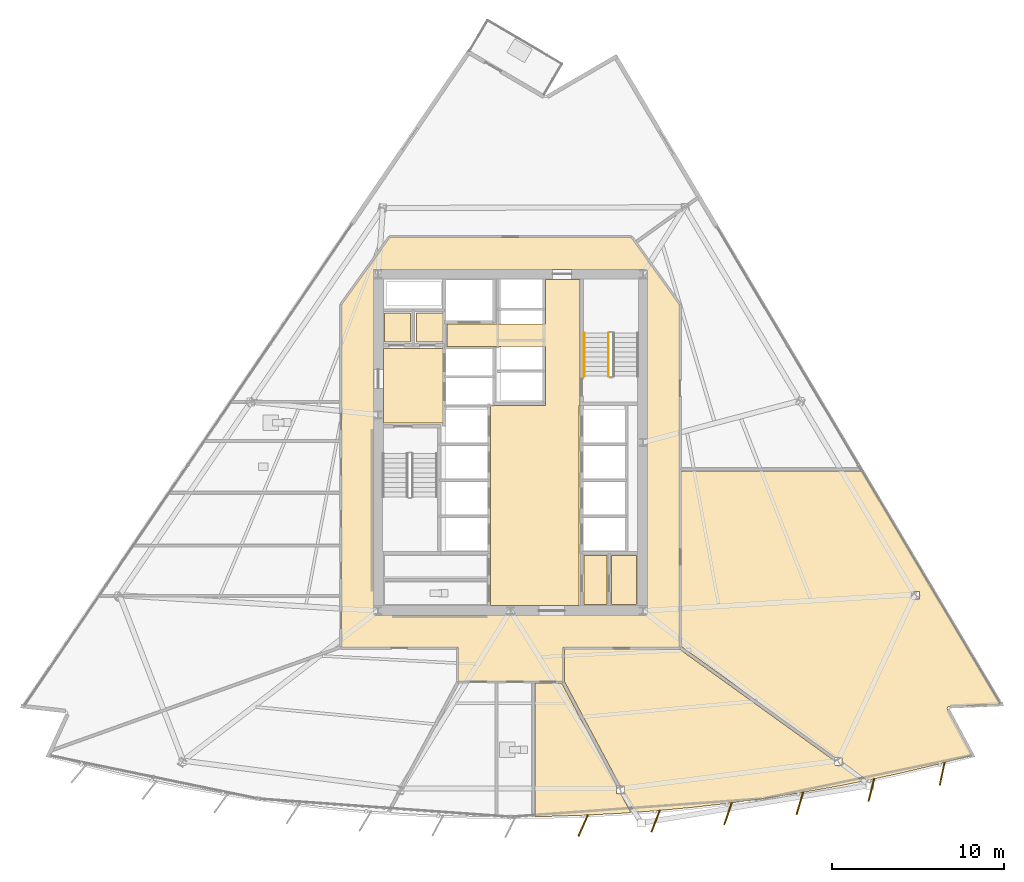
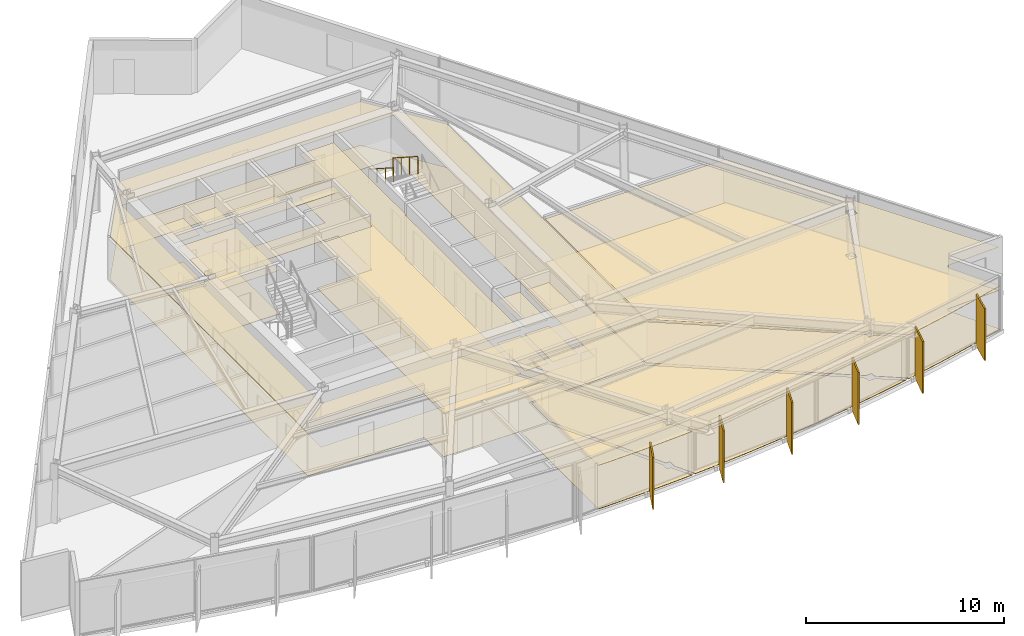
# One storey, part 12 of 15: 20 coverings, 6 shading devices, 2 railings.
"""IFC4 building model written with IfcOpenShell, lengths in metres."""

from ifc_helpers import new_model, si_unit, direction, frame, origin, origin_2d, place, context, subcontext, project, spatial, polyline, rectangle, circle, outline, extrude, material, layer, layer_set, type_object, element, save


model = new_model("IFC4")

# Units and contexts
model_context = context("Model", 3, precision=1e-05, world=origin(), true_north=direction((0.0, 1.0)))
body_context = subcontext(model_context, "Body", "Model", "MODEL_VIEW")
ifc_project = project(units=[si_unit("LENGTHUNIT", "METRE"), si_unit("AREAUNIT", "SQUARE_METRE"), si_unit("VOLUMEUNIT", "CUBIC_METRE"), si_unit("PLANEANGLEUNIT", "RADIAN"), si_unit("MASSUNIT", "GRAM", prefix="KILO")], contexts=[model_context])

# Site, building, storey
site_placement = place(None, origin())
site = spatial("IfcSite", under=ifc_project, at=site_placement, CompositionType="ELEMENT")
building_placement = place(site_placement, origin())
building = spatial("IfcBuilding", under=site, at=building_placement, Name="Savorim Split Tower", CompositionType="ELEMENT")
storey_placement = place(building_placement, frame((0.0, 0.0, 89.699951171875)))
storey = spatial("IfcBuildingStorey", under=building, at=storey_placement, Name="L23", CompositionType="ELEMENT", Elevation=89.699951171875)

# Coverings
ifc_material_1 = material(Name="Mineral Fibre Acoustic Ceiling")
ifc_layer_1 = layer(ifc_material_1, 0.02490234375)
ifc_layer_set_1 = layer_set([ifc_layer_1], Name="COV-CEIL-25")
covering_type_1 = type_object("IfcCoveringType", Name="COV-CEIL-25", PredefinedType="CEILING", material=ifc_layer_set_1)
covering_1_placement = place(storey_placement, frame((0.0, 0.0, 2.670166015625)))
element("IfcCovering", 1, at=covering_1_placement, inside=storey, type_object=covering_type_1, Name="L23 Firefighting Lift Lobby Acoustic Ceiling", PredefinedType="CEILING", context=body_context, shape_type="SweptSolid", body=[
    extrude(outline(polyline([(-7.3798828125, 5.8701171875), (-7.3798828125, 1.530029296875), (-3.929931640625, 1.530029296875), (-3.929931640625, 5.8701171875), (-7.3798828125, 5.8701171875)])), origin(), (0.0, 0.0, 1.0), 0.02490234375),
])
covering_2_placement = place(storey_placement, frame((0.0, 0.0, 2.670166015625)))
element("IfcCovering", 2, at=covering_2_placement, inside=storey, type_object=covering_type_1, Name="L23 Electrical Riser Acoustic Ceiling", PredefinedType="CEILING", context=body_context, shape_type="SweptSolid", body=[
    extrude(outline(polyline([(-7.320068359375, 7.919921875), (-7.320068359375, 6.22998046875), (-5.830078125, 6.22998046875), (-5.830078125, 7.919921875), (-7.320068359375, 7.919921875)])), origin(), (0.0, 0.0, 1.0), 0.02490234375),
])
covering_3_placement = place(storey_placement, frame((0.0, 0.0, 2.670166015625)))
element("IfcCovering", 3, at=covering_3_placement, inside=storey, type_object=covering_type_1, Name="L23 Telecom Riser Acoustic Ceiling", PredefinedType="CEILING", context=body_context, shape_type="SweptSolid", body=[
    extrude(outline(polyline([(-5.469970703125, 7.919921875), (-5.469970703125, 6.22998046875), (-3.929931640625, 6.22998046875), (-3.929931640625, 7.919921875), (-5.469970703125, 7.919921875)])), origin(), (0.0, 0.0, 1.0), 0.02490234375),
])
covering_4_placement = place(storey_placement, frame((0.0, 0.0, 2.670166015625)))
element("IfcCovering", 4, at=covering_4_placement, inside=storey, type_object=covering_type_1, Name="L23 Lift Lobby Acoustic Ceiling", PredefinedType="CEILING", context=body_context, shape_type="SweptSolid", body=[
    extrude(outline(polyline([(2.050048828125, 2.550048828125), (-1.14990234375, 2.550048828125), (-1.14990234375, -9.10009765625), (4.0, -9.10009765625), (4.0, 2.550048828125), (4.050048828125, 2.550048828125), (4.050048828125, 5.97998046875), (4.050048828125, 7.300048828125), (4.050048828125, 9.8798828125), (2.050048828125, 9.8798828125), (2.050048828125, 7.300048828125), (-3.699951171875, 7.300048828125), (-3.699951171875, 5.97998046875), (2.050048828125, 5.97998046875), (2.050048828125, 2.550048828125)])), origin(), (0.0, 0.0, 1.0), 0.02490234375),
])
covering_5_placement = place(storey_placement, frame((0.0, 0.0, 2.670166015625)))
element("IfcCovering", 5, at=covering_5_placement, inside=storey, type_object=covering_type_1, Name="L23 Vending Pantry Acoustic Ceiling", PredefinedType="CEILING", context=body_context, shape_type="SweptSolid", body=[
    extrude(outline(polyline([(4.280029296875, -6.179931640625), (4.280029296875, -9.02001953125), (5.6201171875, -9.02001953125), (5.6201171875, -6.179931640625), (4.280029296875, -6.179931640625)])), origin(), (0.0, 0.0, 1.0), 0.02490234375),
])
covering_6_placement = place(storey_placement, frame((0.0, 0.0, 2.670166015625)))
element("IfcCovering", 6, at=covering_6_placement, inside=storey, type_object=covering_type_1, Name="L23 Recycling Chute Room Acoustic Ceiling", PredefinedType="CEILING", context=body_context, shape_type="SweptSolid", body=[
    extrude(outline(polyline([(5.8798828125, -6.179931640625), (5.8798828125, -9.02001953125), (7.320068359375, -9.02001953125), (7.320068359375, -6.179931640625), (5.8798828125, -6.179931640625)])), origin(), (0.0, 0.0, 1.0), 0.02490234375),
])
covering_7_placement = place(storey_placement, frame((0.0, 0.0, 2.670166015625)))
element("IfcCovering", 7, at=covering_7_placement, inside=storey, type_object=covering_type_1, Name="L23 Corridor Acoustic Ceiling", PredefinedType="CEILING", context=body_context, shape_type="SweptSolid", body=[
    extrude(outline(polyline([(7.009521484375, 12.3291015625), (7.004638671875, 12.329833984375), (7.0, 12.330078125), (-7.0, 12.330078125), (-7.004638671875, 12.329833984375), (-7.009521484375, 12.3291015625), (-7.013916015625, 12.327880859375), (-7.0185546875, 12.326416015625), (-7.022705078125, 12.324462890625), (-7.027099609375, 12.322021484375), (-7.03076171875, 12.3193359375), (-7.034423828125, 12.31640625), (-7.03759765625, 12.312744140625), (-7.04052734375, 12.30908203125), (-9.820556640625, 8.42919921875), (-9.823486328125, 8.4248046875), (-9.82568359375, 8.420166015625), (-9.82763671875, 8.415283203125), (-9.828857421875, 8.410400390625), (-9.82958984375, 8.4052734375), (-9.830078125, 8.39990234375), (-9.830078125, -11.47998046875), (-9.829833984375, -11.48486328125), (-9.8291015625, -11.48974609375), (-9.827880859375, -11.494384765625), (-9.826171875, -11.4990234375), (-9.82421875, -11.503662109375), (-9.821533203125, -11.5078125), (-9.818603515625, -11.51171875), (-9.8154296875, -11.515380859375), (-9.811767578125, -11.518798828125), (-9.807861328125, -11.521484375), (-9.8037109375, -11.524169921875), (-9.799072265625, -11.526123046875), (-9.79443359375, -11.52783203125), (-9.789794921875, -11.529052734375), (-9.784912109375, -11.52978515625), (-9.780029296875, -11.530029296875), (-3.050048828125, -11.530029296875), (-3.050048828125, -13.449951171875), (-3.0498046875, -13.454833984375), (-3.049072265625, -13.459716796875), (-3.0478515625, -13.464599609375), (-3.046142578125, -13.468994140625), (-3.044189453125, -13.4736328125), (-3.04150390625, -13.477783203125), (-3.038818359375, -13.481689453125), (-3.035400390625, -13.4853515625), (-3.03173828125, -13.48876953125), (-3.02783203125, -13.49169921875), (-3.023681640625, -13.494140625), (-3.01904296875, -13.49609375), (-3.014404296875, -13.497802734375), (-3.009765625, -13.4990234375), (-3.0048828125, -13.499755859375), (-3.0, -13.5), (3.0, -13.5), (3.0048828125, -13.499755859375), (3.009765625, -13.4990234375), (3.014404296875, -13.497802734375), (3.01904296875, -13.49609375), (3.023681640625, -13.494140625), (3.02783203125, -13.49169921875), (3.03173828125, -13.48876953125), (3.035400390625, -13.4853515625), (3.038818359375, -13.481689453125), (3.04150390625, -13.477783203125), (3.044189453125, -13.4736328125), (3.046142578125, -13.468994140625), (3.0478515625, -13.464599609375), (3.049072265625, -13.459716796875), (3.0498046875, -13.454833984375), (3.050048828125, -13.449951171875), (3.050048828125, -11.530029296875), (9.780029296875, -11.530029296875), (9.784912109375, -11.52978515625), (9.789794921875, -11.529052734375), (9.79443359375, -11.52783203125), (9.799072265625, -11.526123046875), (9.8037109375, -11.524169921875), (9.807861328125, -11.521484375), (9.811767578125, -11.518798828125), (9.8154296875, -11.515380859375), (9.818603515625, -11.51171875), (9.821533203125, -11.5078125), (9.82421875, -11.503662109375), (9.826171875, -11.4990234375), (9.827880859375, -11.494384765625), (9.8291015625, -11.48974609375), (9.829833984375, -11.48486328125), (9.830078125, -11.47998046875), (9.830078125, 8.39990234375), (9.82958984375, 8.4052734375), (9.828857421875, 8.410400390625), (9.82763671875, 8.415283203125), (9.82568359375, 8.420166015625), (9.823486328125, 8.4248046875), (9.820556640625, 8.42919921875), (7.04052734375, 12.30908203125), (7.03759765625, 12.312744140625), (7.034423828125, 12.31640625), (7.03076171875, 12.3193359375), (7.027099609375, 12.322021484375), (7.022705078125, 12.324462890625), (7.0185546875, 12.326416015625), (7.013916015625, 12.327880859375), (7.009521484375, 12.3291015625)]), holes=[polyline([(-7.949951171875, 10.449951171875), (-7.949951171875, -9.64990234375), (7.949951171875, -9.64990234375), (7.949951171875, 10.449951171875), (-7.949951171875, 10.449951171875)])]), origin(), (0.0, 0.0, 1.0), 0.02490234375),
])
covering_8_placement = place(storey_placement, frame((0.0, 0.0, 2.670166015625)))
element("IfcCovering", 8, at=covering_8_placement, inside=storey, type_object=covering_type_1, Name="L23 Co-Living Bedroom Acoustic Ceiling", PredefinedType="CEILING", context=body_context, shape_type="SweptSolid", body=[
    extrude(outline(polyline([(1.418701171875, -21.3662109375), (2.101806640625, -21.359375), (4.202880859375, -21.294921875), (6.302001953125, -21.187255859375), (6.998291015625, -21.137451171875), (6.4072265625, -20.031005859375), (6.181640625, -20.031005859375), (6.181640625, -19.608642578125), (2.982177734375, -13.6181640625), (2.967041015625, -13.590087890625), (1.418701171875, -13.590087890625), (1.418701171875, -21.3662109375)])), origin(), (0.0, 0.0, 1.0), 0.02490234375),
])
covering_9_placement = place(storey_placement, frame((0.0, 0.0, 2.670166015625)))
element("IfcCovering", 9, at=covering_9_placement, inside=storey, type_object=covering_type_1, Name="L23 Co-Working Commons Acoustic Ceiling", PredefinedType="CEILING", context=body_context, shape_type="SweptSolid", body=[
    extrude(outline(polyline([(12.58056640625, -20.607421875), (14.6640625, -20.32861328125), (16.7412109375, -20.00732421875), (18.8115234375, -19.6435546875), (20.493896484375, -19.312255859375), (19.230712890625, -18.40185546875), (18.869873046875, -18.40185546875), (18.869873046875, -18.141845703125), (9.8408203125, -11.634765625), (9.814208984375, -11.615478515625), (9.807373046875, -11.6171875), (9.793701171875, -11.619384765625), (9.780029296875, -11.6201171875), (3.139892578125, -11.6201171875), (3.139892578125, -13.449951171875), (3.139404296875, -13.463623046875), (3.13720703125, -13.477294921875), (3.134033203125, -13.490478515625), (3.132080078125, -13.495849609375), (6.385009765625, -19.5859375), (6.610595703125, -19.5859375), (6.610595703125, -20.008544921875), (7.159912109375, -21.036865234375), (7.204833984375, -21.12060546875), (7.20068359375, -21.122802734375), (8.398681640625, -21.036865234375), (10.49169921875, -20.843505859375), (12.58056640625, -20.607421875)])), origin(), (0.0, 0.0, 1.0), 0.02490234375),
])
covering_10_placement = place(storey_placement, frame((0.0, 0.0, 2.670166015625)))
element("IfcCovering", 10, at=covering_10_placement, inside=storey, type_object=covering_type_1, Name="L23 Maker Workshop Acoustic Ceiling", PredefinedType="CEILING", context=body_context, shape_type="SweptSolid", body=[
    extrude(outline(polyline([(25.5009765625, -14.956298828125), (25.51220703125, -14.9541015625), (25.523681640625, -14.952880859375), (28.506591796875, -14.826171875), (20.438720703125, -1.25830078125), (9.919921875, -1.25830078125), (9.919921875, -11.457763671875), (18.93798828125, -17.956787109375), (19.298828125, -17.956787109375), (19.298828125, -18.216796875), (20.62158203125, -19.170166015625), (20.698486328125, -19.2255859375), (20.65966796875, -19.27978515625), (20.873779296875, -19.237548828125), (22.927490234375, -18.789306640625), (24.9716796875, -18.29931640625), (26.85888671875, -17.8056640625), (25.423095703125, -15.129638671875), (25.418212890625, -15.119140625), (25.414306640625, -15.1083984375), (25.411376953125, -15.09716796875), (25.409423828125, -15.085693359375), (25.40869140625, -15.07421875), (25.4091796875, -15.062744140625), (25.410888671875, -15.05126953125), (25.413330078125, -15.0400390625), (25.4169921875, -15.029052734375), (25.421875, -15.0185546875), (25.427490234375, -15.008544921875), (25.43408203125, -14.9990234375), (25.441650390625, -14.990478515625), (25.449951171875, -14.982421875), (25.458984375, -14.97509765625), (25.46875, -14.968994140625), (25.47900390625, -14.963623046875), (25.48974609375, -14.95947265625), (25.5009765625, -14.956298828125)]), holes=[polyline([(23.782958984375, -8.70556640625), (23.782958984375, -8.260498046875), (23.35400390625, -8.260498046875), (23.35400390625, -8.70556640625), (23.782958984375, -8.70556640625)])]), origin(), (0.0, 0.0, 1.0), 0.02490234375),
])
ifc_material_2 = material(Name="Porcelain Stoneware Flooring", Category="masonry")
ifc_layer_2 = layer(ifc_material_2, 0.02001953125)
ifc_layer_set_2 = layer_set([ifc_layer_2], Name="COV-FLOR-20")
covering_type_2 = type_object("IfcCoveringType", Name="COV-FLOR-20", PredefinedType="FLOORING", material=ifc_layer_set_2)
covering_11_placement = place(storey_placement, origin())
element("IfcCovering", 11, at=covering_11_placement, inside=storey, type_object=covering_type_2, Name="L23 Firefighting Lift Lobby Porcelain Flooring", PredefinedType="FLOORING", context=body_context, shape_type="SweptSolid", body=[
    extrude(outline(polyline([(-7.3798828125, 5.8701171875), (-7.3798828125, 1.530029296875), (-3.929931640625, 1.530029296875), (-3.929931640625, 5.8701171875), (-7.3798828125, 5.8701171875)])), origin(), (0.0, 0.0, 1.0), 0.02001953125),
])
covering_12_placement = place(storey_placement, origin())
element("IfcCovering", 12, at=covering_12_placement, inside=storey, type_object=covering_type_2, Name="L23 Electrical Riser Porcelain Flooring", PredefinedType="FLOORING", context=body_context, shape_type="SweptSolid", body=[
    extrude(outline(polyline([(-7.320068359375, 7.919921875), (-7.320068359375, 6.22998046875), (-5.830078125, 6.22998046875), (-5.830078125, 7.919921875), (-7.320068359375, 7.919921875)])), origin(), (0.0, 0.0, 1.0), 0.02001953125),
])
covering_13_placement = place(storey_placement, origin())
element("IfcCovering", 13, at=covering_13_placement, inside=storey, type_object=covering_type_2, Name="L23 Telecom Riser Porcelain Flooring", PredefinedType="FLOORING", context=body_context, shape_type="SweptSolid", body=[
    extrude(outline(polyline([(-5.469970703125, 7.919921875), (-5.469970703125, 6.22998046875), (-3.929931640625, 6.22998046875), (-3.929931640625, 7.919921875), (-5.469970703125, 7.919921875)])), origin(), (0.0, 0.0, 1.0), 0.02001953125),
])
covering_14_placement = place(storey_placement, origin())
element("IfcCovering", 14, at=covering_14_placement, inside=storey, type_object=covering_type_2, Name="L23 Lift Lobby Porcelain Flooring", PredefinedType="FLOORING", context=body_context, shape_type="SweptSolid", body=[
    extrude(outline(polyline([(2.050048828125, 2.550048828125), (-1.14990234375, 2.550048828125), (-1.14990234375, -9.10009765625), (4.0, -9.10009765625), (4.0, 2.550048828125), (4.050048828125, 2.550048828125), (4.050048828125, 5.97998046875), (4.050048828125, 7.300048828125), (4.050048828125, 9.8798828125), (2.050048828125, 9.8798828125), (2.050048828125, 7.300048828125), (-3.699951171875, 7.300048828125), (-3.699951171875, 5.97998046875), (2.050048828125, 5.97998046875), (2.050048828125, 2.550048828125)])), origin(), (0.0, 0.0, 1.0), 0.02001953125),
])
covering_15_placement = place(storey_placement, origin())
element("IfcCovering", 15, at=covering_15_placement, inside=storey, type_object=covering_type_2, Name="L23 Vending Pantry Porcelain Flooring", PredefinedType="FLOORING", context=body_context, shape_type="SweptSolid", body=[
    extrude(outline(polyline([(4.280029296875, -6.179931640625), (4.280029296875, -9.02001953125), (5.6201171875, -9.02001953125), (5.6201171875, -6.179931640625), (4.280029296875, -6.179931640625)])), origin(), (0.0, 0.0, 1.0), 0.02001953125),
])
covering_16_placement = place(storey_placement, origin())
element("IfcCovering", 16, at=covering_16_placement, inside=storey, type_object=covering_type_2, Name="L23 Recycling Chute Room Porcelain Flooring", PredefinedType="FLOORING", context=body_context, shape_type="SweptSolid", body=[
    extrude(outline(polyline([(5.8798828125, -6.179931640625), (5.8798828125, -9.02001953125), (7.320068359375, -9.02001953125), (7.320068359375, -6.179931640625), (5.8798828125, -6.179931640625)])), origin(), (0.0, 0.0, 1.0), 0.02001953125),
])
covering_17_placement = place(storey_placement, origin())
element("IfcCovering", 17, at=covering_17_placement, inside=storey, type_object=covering_type_2, Name="L23 Corridor Porcelain Flooring", PredefinedType="FLOORING", context=body_context, shape_type="SweptSolid", body=[
    extrude(outline(polyline([(7.009521484375, 12.3291015625), (7.004638671875, 12.329833984375), (7.0, 12.330078125), (-7.0, 12.330078125), (-7.004638671875, 12.329833984375), (-7.009521484375, 12.3291015625), (-7.013916015625, 12.327880859375), (-7.0185546875, 12.326416015625), (-7.022705078125, 12.324462890625), (-7.027099609375, 12.322021484375), (-7.03076171875, 12.3193359375), (-7.034423828125, 12.31640625), (-7.03759765625, 12.312744140625), (-7.04052734375, 12.30908203125), (-9.820556640625, 8.42919921875), (-9.823486328125, 8.4248046875), (-9.82568359375, 8.420166015625), (-9.82763671875, 8.415283203125), (-9.828857421875, 8.410400390625), (-9.82958984375, 8.4052734375), (-9.830078125, 8.39990234375), (-9.830078125, -11.47998046875), (-9.829833984375, -11.48486328125), (-9.8291015625, -11.48974609375), (-9.827880859375, -11.494384765625), (-9.826171875, -11.4990234375), (-9.82421875, -11.503662109375), (-9.821533203125, -11.5078125), (-9.818603515625, -11.51171875), (-9.8154296875, -11.515380859375), (-9.811767578125, -11.518798828125), (-9.807861328125, -11.521484375), (-9.8037109375, -11.524169921875), (-9.799072265625, -11.526123046875), (-9.79443359375, -11.52783203125), (-9.789794921875, -11.529052734375), (-9.784912109375, -11.52978515625), (-9.780029296875, -11.530029296875), (-3.050048828125, -11.530029296875), (-3.050048828125, -13.449951171875), (-3.0498046875, -13.454833984375), (-3.049072265625, -13.459716796875), (-3.0478515625, -13.464599609375), (-3.046142578125, -13.468994140625), (-3.044189453125, -13.4736328125), (-3.04150390625, -13.477783203125), (-3.038818359375, -13.481689453125), (-3.035400390625, -13.4853515625), (-3.03173828125, -13.48876953125), (-3.02783203125, -13.49169921875), (-3.023681640625, -13.494140625), (-3.01904296875, -13.49609375), (-3.014404296875, -13.497802734375), (-3.009765625, -13.4990234375), (-3.0048828125, -13.499755859375), (-3.0, -13.5), (3.0, -13.5), (3.0048828125, -13.499755859375), (3.009765625, -13.4990234375), (3.014404296875, -13.497802734375), (3.01904296875, -13.49609375), (3.023681640625, -13.494140625), (3.02783203125, -13.49169921875), (3.03173828125, -13.48876953125), (3.035400390625, -13.4853515625), (3.038818359375, -13.481689453125), (3.04150390625, -13.477783203125), (3.044189453125, -13.4736328125), (3.046142578125, -13.468994140625), (3.0478515625, -13.464599609375), (3.049072265625, -13.459716796875), (3.0498046875, -13.454833984375), (3.050048828125, -13.449951171875), (3.050048828125, -11.530029296875), (9.780029296875, -11.530029296875), (9.784912109375, -11.52978515625), (9.789794921875, -11.529052734375), (9.79443359375, -11.52783203125), (9.799072265625, -11.526123046875), (9.8037109375, -11.524169921875), (9.807861328125, -11.521484375), (9.811767578125, -11.518798828125), (9.8154296875, -11.515380859375), (9.818603515625, -11.51171875), (9.821533203125, -11.5078125), (9.82421875, -11.503662109375), (9.826171875, -11.4990234375), (9.827880859375, -11.494384765625), (9.8291015625, -11.48974609375), (9.829833984375, -11.48486328125), (9.830078125, -11.47998046875), (9.830078125, 8.39990234375), (9.82958984375, 8.4052734375), (9.828857421875, 8.410400390625), (9.82763671875, 8.415283203125), (9.82568359375, 8.420166015625), (9.823486328125, 8.4248046875), (9.820556640625, 8.42919921875), (7.04052734375, 12.30908203125), (7.03759765625, 12.312744140625), (7.034423828125, 12.31640625), (7.03076171875, 12.3193359375), (7.027099609375, 12.322021484375), (7.022705078125, 12.324462890625), (7.0185546875, 12.326416015625), (7.013916015625, 12.327880859375), (7.009521484375, 12.3291015625)]), holes=[polyline([(-7.949951171875, 10.449951171875), (-7.949951171875, -9.64990234375), (7.949951171875, -9.64990234375), (7.949951171875, 10.449951171875), (-7.949951171875, 10.449951171875)])]), origin(), (0.0, 0.0, 1.0), 0.02001953125),
])
covering_18_placement = place(storey_placement, origin())
element("IfcCovering", 18, at=covering_18_placement, inside=storey, type_object=covering_type_2, Name="L23 Co-Living Bedroom Porcelain Flooring", PredefinedType="FLOORING", context=body_context, shape_type="SweptSolid", body=[
    extrude(outline(polyline([(1.418701171875, -21.3662109375), (2.101806640625, -21.359375), (4.202880859375, -21.294921875), (6.302001953125, -21.187255859375), (6.998291015625, -21.137451171875), (6.4072265625, -20.031005859375), (6.181640625, -20.031005859375), (6.181640625, -19.608642578125), (2.982177734375, -13.6181640625), (2.967041015625, -13.590087890625), (1.418701171875, -13.590087890625), (1.418701171875, -21.3662109375)])), origin(), (0.0, 0.0, 1.0), 0.02001953125),
])
covering_19_placement = place(storey_placement, origin())
element("IfcCovering", 19, at=covering_19_placement, inside=storey, type_object=covering_type_2, Name="L23 Co-Working Commons Porcelain Flooring", PredefinedType="FLOORING", context=body_context, shape_type="SweptSolid", body=[
    extrude(outline(polyline([(12.58056640625, -20.607421875), (14.6640625, -20.32861328125), (16.7412109375, -20.00732421875), (18.8115234375, -19.6435546875), (20.493896484375, -19.312255859375), (19.230712890625, -18.40185546875), (18.869873046875, -18.40185546875), (18.869873046875, -18.141845703125), (9.8408203125, -11.634765625), (9.814208984375, -11.615478515625), (9.807373046875, -11.6171875), (9.793701171875, -11.619384765625), (9.780029296875, -11.6201171875), (3.139892578125, -11.6201171875), (3.139892578125, -13.449951171875), (3.139404296875, -13.463623046875), (3.13720703125, -13.477294921875), (3.134033203125, -13.490478515625), (3.132080078125, -13.495849609375), (6.385009765625, -19.5859375), (6.610595703125, -19.5859375), (6.610595703125, -20.008544921875), (7.159912109375, -21.036865234375), (7.204833984375, -21.12060546875), (7.20068359375, -21.122802734375), (8.398681640625, -21.036865234375), (10.49169921875, -20.843505859375), (12.58056640625, -20.607421875)])), origin(), (0.0, 0.0, 1.0), 0.02001953125),
])
covering_20_placement = place(storey_placement, origin())
element("IfcCovering", 20, at=covering_20_placement, inside=storey, type_object=covering_type_2, Name="L23 Maker Workshop Porcelain Flooring", PredefinedType="FLOORING", context=body_context, shape_type="SweptSolid", body=[
    extrude(outline(polyline([(25.5009765625, -14.956298828125), (25.51220703125, -14.9541015625), (25.523681640625, -14.952880859375), (28.506591796875, -14.826171875), (20.438720703125, -1.25830078125), (9.919921875, -1.25830078125), (9.919921875, -11.457763671875), (18.93798828125, -17.956787109375), (19.298828125, -17.956787109375), (19.298828125, -18.216796875), (20.62158203125, -19.170166015625), (20.698486328125, -19.2255859375), (20.65966796875, -19.27978515625), (20.873779296875, -19.237548828125), (22.927490234375, -18.789306640625), (24.9716796875, -18.29931640625), (26.85888671875, -17.8056640625), (25.423095703125, -15.129638671875), (25.418212890625, -15.119140625), (25.414306640625, -15.1083984375), (25.411376953125, -15.09716796875), (25.409423828125, -15.085693359375), (25.40869140625, -15.07421875), (25.4091796875, -15.062744140625), (25.410888671875, -15.05126953125), (25.413330078125, -15.0400390625), (25.4169921875, -15.029052734375), (25.421875, -15.0185546875), (25.427490234375, -15.008544921875), (25.43408203125, -14.9990234375), (25.441650390625, -14.990478515625), (25.449951171875, -14.982421875), (25.458984375, -14.97509765625), (25.46875, -14.968994140625), (25.47900390625, -14.963623046875), (25.48974609375, -14.95947265625), (25.5009765625, -14.956298828125)]), holes=[polyline([(23.782958984375, -8.70556640625), (23.782958984375, -8.260498046875), (23.35400390625, -8.260498046875), (23.35400390625, -8.70556640625), (23.782958984375, -8.70556640625)])]), origin(), (0.0, 0.0, 1.0), 0.02001953125),
])

# Railings
ifc_material_3 = material(Name="Galvanised Painted Steel Balustrade", Category="steel")
railing_type_1 = type_object("IfcRailingType", Name="RLG-HR-900", PredefinedType="HANDRAIL", material=ifc_material_3)
railing_1_placement = place(storey_placement, frame((4.300048828125, 6.77001953125, 1.97998046875)))
element("IfcRailing", 21, at=railing_1_placement, inside=storey, type_object=railing_type_1, Name="L23 ST-2 stair handrail 2", PredefinedType="HANDRAIL", context=body_context, shape_type="SweptSolid", body=[
    extrude(circle(Radius=0.02392578125, at=origin_2d()), frame((0.0, 0.0, 0.8759765625), z_axis=(0.0, -0.841162588446, 0.540782303519), x_axis=(1.0, 0.0, 0.0)), (0.0, 0.0, 1.0), 2.995849609375),
    extrude(circle(Radius=0.02099609375, at=origin_2d()), origin(), (0.0, 0.0, 1.0), 0.851806640625),
    extrude(circle(Radius=0.02099609375, at=origin_2d()), frame((0.0, -0.840087890625, 0.5400390625)), (0.0, 0.0, 1.0), 0.851806640625),
    extrude(circle(Radius=0.02099609375, at=origin_2d()), frame((0.0, -1.679931640625, 1.080078125)), (0.0, 0.0, 1.0), 0.851806640625),
    extrude(circle(Radius=0.02099609375, at=origin_2d()), frame((0.0, -2.52001953125, 1.6201171875)), (0.0, 0.0, 1.0), 0.851806640625),
])
railing_type_2 = type_object("IfcRailingType", Name="RLG-STG-1100", PredefinedType="BALUSTRADE", material=ifc_material_3)
railing_2_placement = place(storey_placement, frame((5.699951171875, 6.77001953125, 1.97998046875)))
element("IfcRailing", 22, at=railing_2_placement, inside=storey, type_object=railing_type_2, Name="L23 ST-2 stair guard 3", PredefinedType="BALUSTRADE", context=body_context, shape_type="SweptSolid", body=[
    extrude(circle(Radius=0.02392578125, at=origin_2d()), frame((0.0, 0.0, 1.076171875), z_axis=(0.0, -0.841162588446, 0.540782303519), x_axis=(1.0, 0.0, 0.0)), (0.0, 0.0, 1.0), 2.995849609375),
    extrude(circle(Radius=0.02099609375, at=origin_2d()), origin(), (0.0, 0.0, 1.0), 1.052001953125),
    extrude(circle(Radius=0.02099609375, at=origin_2d()), frame((0.0, -0.840087890625, 0.5400390625)), (0.0, 0.0, 1.0), 1.052001953125),
    extrude(circle(Radius=0.02099609375, at=origin_2d()), frame((0.0, -1.679931640625, 1.080078125)), (0.0, 0.0, 1.0), 1.052001953125),
    extrude(circle(Radius=0.02099609375, at=origin_2d()), frame((0.0, -2.52001953125, 1.6201171875)), (0.0, 0.0, 1.0), 1.052001953125),
])

# Shading devices
ifc_material_4 = material(Name="Terracotta Ceramic-Coated Aluminium Fin", Category="masonry")
shading_device_type = type_object("IfcShadingDeviceType", Name="SHD-FIN-1360", PredefinedType="USERDEFINED", material=ifc_material_4)
for number, where, z_axis, x_axis, name in (
    (23, (4.227294921875, -21.890380859375, -0.19970703125), (0.0, 0.0, 1.0), (-0.401230091723, -0.915977299662, 0.0), "L23 Sawtooth Shading Fin 08"),
    (24, (8.447509765625, -21.630859375, -0.19970703125), (0.0, 0.0, 1.0), (-0.363415461732, -0.931627179817, 0.0), "L23 Sawtooth Shading Fin 09"),
    (25, (12.653564453125, -21.198974609375, -0.19970703125), (0.0, 0.0, 1.0), (-0.324993810493, -0.945716143005, 0.0), "L23 Sawtooth Shading Fin 10"),
    (26, (16.83837890625, -20.595458984375, -0.19970703125), (0.0, 0.0, 1.0), (-0.286026212504, -0.958221793616, 0.0), "L23 Sawtooth Shading Fin 11"),
    (27, (20.9951171875, -19.821044921875, -0.19970703125), (0.0, 0.0, 1.0), (-0.246581250663, -0.969122121727, 0.0), "L23 Sawtooth Shading Fin 12"),
    (28, (25.116455078125, -18.87744140625, -0.19970703125), (0.0, 0.0, 1.0), (-0.206721626106, -0.978399800337, 0.0), "L23 Sawtooth Shading Fin 13"),
):
    element("IfcShadingDevice", number, at=place(storey_placement, frame(where, z_axis=z_axis, x_axis=x_axis)), inside=storey, type_object=shading_device_type, Name=name, ObjectType="FIN", PredefinedType="USERDEFINED", context=body_context, shape_type="SweptSolid", body=[
        extrude(rectangle(XDim=1.360107421875, YDim=0.080078125, at=origin_2d()), origin(), (0.0, 0.0, 1.0), 3.199951171875),
    ])

save(model, "model.ifc")
